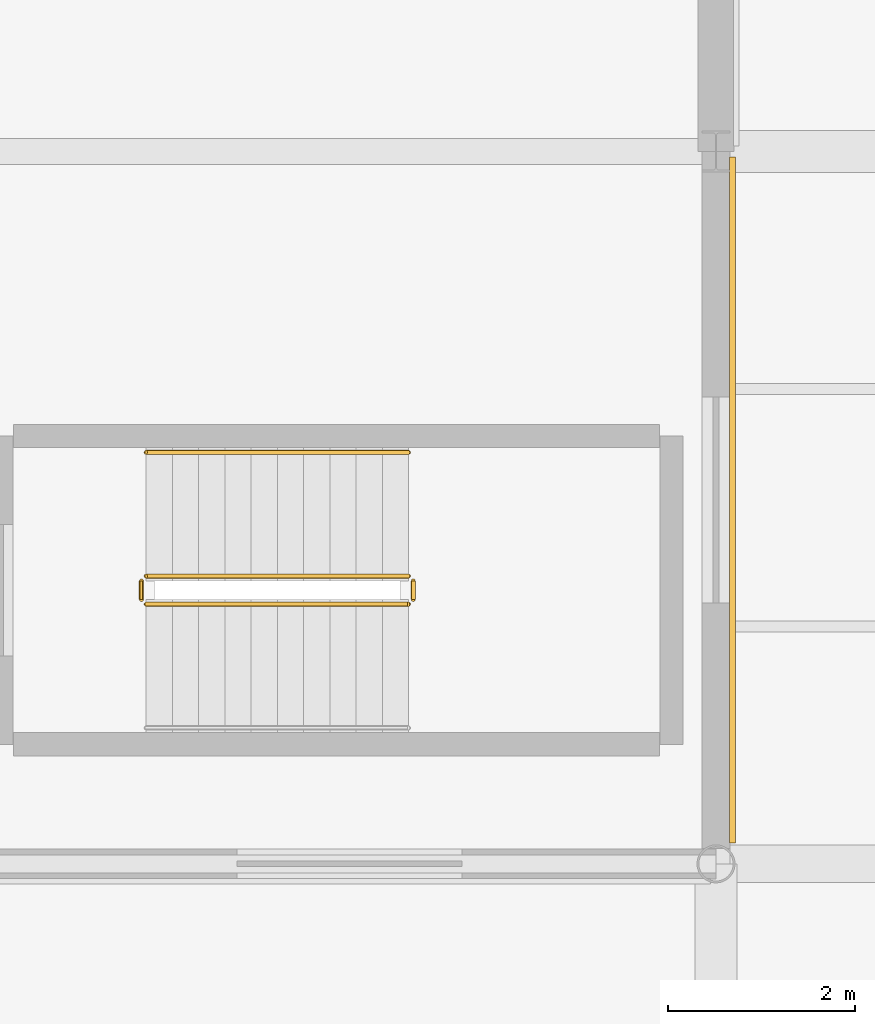
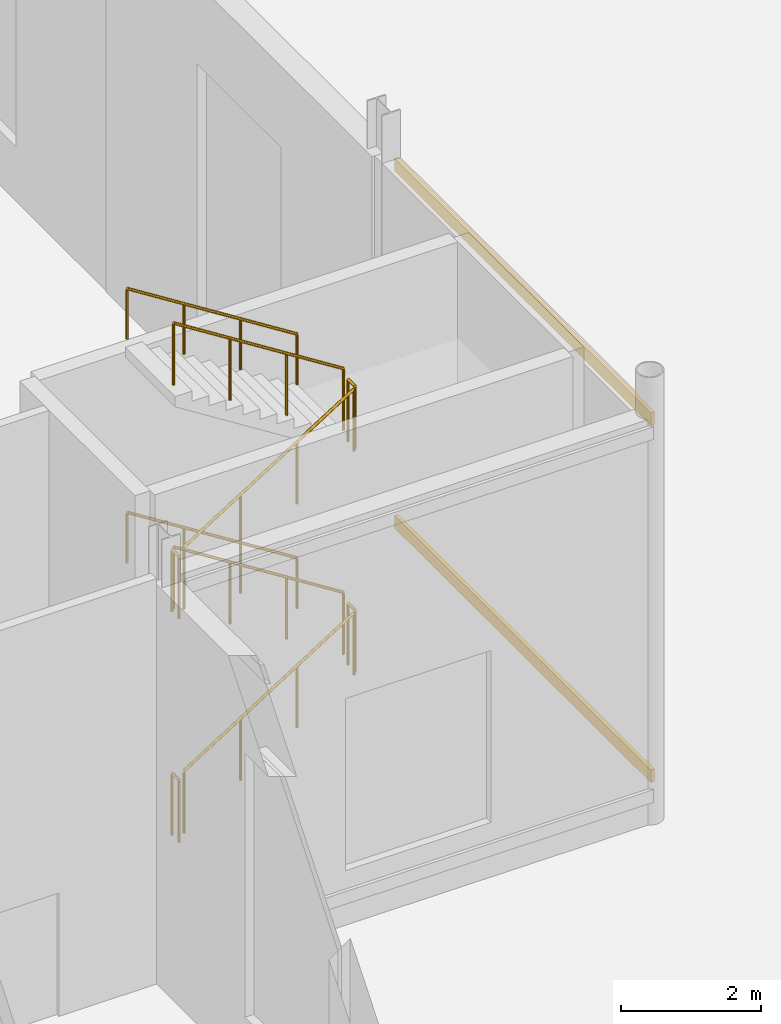
# One storey, part 165 of 176: 10 railings, 2 coverings.
"""IFC4 building model written with IfcOpenShell, lengths in metres."""

import ifcopenshell
import ifcopenshell.guid

model = None  # the IFC model being written
_history = None  # IfcOwnerHistory: only IFC2X3 demands one
_inside = {}  # id of a spatial element -> (the spatial element, [elements in it])
_under = {}  # id of a project, library or spatial element -> (it, [spatial elements below it])
_declared = {}  # id of a project -> (the project, [libraries it declares])
_typed = {}  # id of a type object -> (the type object, [elements of that type])
_made_of = {}  # id of a material, layer set ... -> (it, [elements and type objects made of it])


def new_model(schema):
    """Start an empty IFC model of exactly this schema.

    Asked for "IFC4X3", IfcOpenShell would pick the latest addendum, in which some entities
    have other attributes; the version numbers below select the first issue.
    IFC2X3 requires an IfcOwnerHistory on every rooted entity: one is made here for all.
    """
    global model, _history
    if schema == "IFC4X3":
        model = ifcopenshell.file(schema_version=(4, 3, 0, 0))
    else:
        model = ifcopenshell.file(schema=schema)
    _inside.clear()
    _under.clear()
    _declared.clear()
    _typed.clear()
    _made_of.clear()
    _history = None
    if model.schema == "IFC2X3":
        org = make("IfcOrganization", Name="unknown")
        user = make(
            "IfcPersonAndOrganization",
            ThePerson=make("IfcPerson", FamilyName="unknown"),
            TheOrganization=org,
        )
        app = make(
            "IfcApplication",
            ApplicationDeveloper=org,
            Version="unknown",
            ApplicationFullName="unknown",
            ApplicationIdentifier="unknown",
        )
        _history = make(
            "IfcOwnerHistory",
            OwningUser=user,
            OwningApplication=app,
            ChangeAction="ADDED",
            CreationDate=0,
        )
    return model


def make(cls, **values):
    """One entity of the class cls with the attributes given. An attribute that is None is left unset."""
    return model.create_entity(
        cls, **{name: value for name, value in values.items() if value is not None}
    )


def rooted(cls, **values):
    """An entity with a GlobalId (a new one), such as an element, a storey or a relation."""
    return make(cls, GlobalId=ifcopenshell.guid.new(), OwnerHistory=_history, **values)


def si_unit(unit_type, name, prefix=None):
    """IfcSIUnit, for example si_unit("LENGTHUNIT", "METRE", prefix="MILLI")."""
    return make("IfcSIUnit", UnitType=unit_type, Prefix=prefix, Name=name)


def assignment(units):
    """IfcUnitAssignment: the units of a project."""
    return None if units is None else make("IfcUnitAssignment", Units=units)


def point(xyz):
    """IfcCartesianPoint."""
    return None if xyz is None else make("IfcCartesianPoint", Coordinates=xyz)


def direction(xyz):
    """IfcDirection."""
    return None if xyz is None else make("IfcDirection", DirectionRatios=xyz)


def frame(location, z_axis=None, x_axis=None):
    """IfcAxis2Placement3D, a coordinate frame: its origin and axes. An axis left out is left unset."""
    return make(
        "IfcAxis2Placement3D",
        Location=point(location),
        Axis=direction(z_axis),
        RefDirection=direction(x_axis),
    )


def frame_2d(location, x_axis=None):
    """IfcAxis2Placement2D, a coordinate frame in the plane: its origin and x axis."""
    return make(
        "IfcAxis2Placement2D", Location=point(location), RefDirection=direction(x_axis)
    )


def origin():
    """The frame at (0, 0, 0) with its axes left unset."""
    return frame((0.0, 0.0, 0.0))


def origin_2d():
    """The frame at (0, 0) in the plane with its x axis left unset."""
    return frame_2d((0.0, 0.0))


def place(relative_to, where):
    """IfcLocalPlacement: puts the frame where relative to a parent placement (None: the world)."""
    return make(
        "IfcLocalPlacement", PlacementRelTo=relative_to, RelativePlacement=where
    )


def context(
    kind, dimensions, precision=None, world=None, true_north=None, identifier=None
):
    """IfcGeometricRepresentationContext, for example the 3D "Model" context."""
    return make(
        "IfcGeometricRepresentationContext",
        ContextIdentifier=identifier,
        ContextType=kind,
        CoordinateSpaceDimension=dimensions,
        Precision=precision,
        WorldCoordinateSystem=world,
        TrueNorth=true_north,
    )


def subcontext(parent, identifier, kind, view, scale=None):
    """IfcGeometricRepresentationSubContext, for example "Body" below "Model"."""
    return make(
        "IfcGeometricRepresentationSubContext",
        ContextIdentifier=identifier,
        ContextType=kind,
        ParentContext=parent,
        TargetScale=scale,
        TargetView=view,
    )


def project(units=None, contexts=None):
    """IfcProject with its units and contexts."""
    return rooted(
        "IfcProject",
        Name="project",
        RepresentationContexts=contexts,
        UnitsInContext=assignment(units),
    )


def spatial(cls, under=None, at=None, **own):
    """A site, building, storey or space (cls), placed at a placement, below another one or the project."""
    s = rooted(cls, ObjectPlacement=at, **own)
    if under is not None:
        _under.setdefault(under.id(), (under, []))[1].append(s)
    return s


def profile(cls, at=None, kind="AREA", **sizes):
    """A parametric profile (cls). Its sizes go by their IFC names, for example OverallWidth=200.0."""
    return make(cls, ProfileType=kind, Position=at, **sizes)


def rectangle(**sizes):
    """IfcRectangleProfileDef."""
    return profile("IfcRectangleProfileDef", **sizes)


def circle(**sizes):
    """IfcCircleProfileDef."""
    return profile("IfcCircleProfileDef", **sizes)


def extrude(swept, where, along, depth):
    """IfcExtrudedAreaSolid: the profile swept, set in the frame where, extruded along a direction by depth."""
    return make(
        "IfcExtrudedAreaSolid",
        SweptArea=swept,
        Position=where,
        ExtrudedDirection=direction(along),
        Depth=depth,
    )


def shape(context_of_items, identifier, shape_type, items):
    """IfcShapeRepresentation: the items that make up one representation, for example the "Body"."""
    return make(
        "IfcShapeRepresentation",
        ContextOfItems=context_of_items,
        RepresentationIdentifier=identifier,
        RepresentationType=shape_type,
        Items=items,
    )


def material(Name=None, Category=None):
    """IfcMaterial."""
    return make("IfcMaterial", Name=Name, Category=Category)


def layer(
    of_material, thickness, ventilated=None, Name=None, Category=None, Priority=None
):
    """IfcMaterialLayer: one layer of a wall or slab, of a material (None: an air gap)."""
    return make(
        "IfcMaterialLayer",
        Material=of_material,
        LayerThickness=thickness,
        IsVentilated=ventilated,
        Name=Name,
        Category=Category,
        Priority=Priority,
    )


def layer_set(layers, Name=None):
    """IfcMaterialLayerSet."""
    return make("IfcMaterialLayerSet", MaterialLayers=layers, LayerSetName=Name)


def made_of(thing, what):
    """Note that an element or type object is made of a material, layer set ...; save() writes the relation."""
    if what is not None:
        _made_of.setdefault(what.id(), (what, []))[1].append(thing)
    return thing


def type_object(cls, material=None, **own):
    """A type object (cls), such as IfcWallType, which elements share."""
    return made_of(rooted(cls, **own), material)


def element(
    cls,
    number,
    at=None,
    inside=None,
    cuts=None,
    type_object=None,
    material=None,
    context=None,
    identifier="Body",
    shape_type=None,
    held_by="IfcProductDefinitionShape",
    body=None,
    shapes=None,
    **own,
):
    """One element of the class cls, such as IfcWall. Its Tag is "e" and its number.

    at: its placement. inside: the storey or other place that contains it. cuts: it is an
    opening in that element (IfcRelVoidsElement). A single representation is given by context,
    identifier, shape_type and body (its items); several are given by shapes. held_by: the class
    of the entity that holds the representations. save() writes the other relations.
    """
    e = rooted(cls, Tag="e%d" % number, ObjectPlacement=at, **own)
    if body is not None:
        shapes = [shape(context, identifier, shape_type, body)]
    if shapes is not None:
        e.Representation = make(held_by, Representations=shapes)
    if inside is not None:
        _inside.setdefault(inside.id(), (inside, []))[1].append(e)
    if cuts is not None:
        rooted(
            "IfcRelVoidsElement", RelatingBuildingElement=cuts, RelatedOpeningElement=e
        )
    if type_object is not None:
        _typed.setdefault(type_object.id(), (type_object, []))[1].append(e)
    return made_of(e, material)


def aggregate(whole, parts):
    """IfcRelAggregates: a whole, such as a stair, and the parts it consists of."""
    return rooted("IfcRelAggregates", RelatingObject=whole, RelatedObjects=parts)


def save(model, path):
    """Write the relations noted so far, then the file.

    IfcRelAggregates (storeys below a building ...), IfcRelContainedInSpatialStructure (elements
    in a storey), IfcRelDefinesByType, IfcRelAssociatesMaterial and IfcRelDeclares: one each for
    every whole, place, type object, material and project.
    """
    for whole, parts in _under.values():
        aggregate(whole, parts)
    for where, things in _inside.values():
        rooted(
            "IfcRelContainedInSpatialStructure",
            RelatedElements=things,
            RelatingStructure=where,
        )
    for kind, things in _typed.values():
        rooted("IfcRelDefinesByType", RelatedObjects=things, RelatingType=kind)
    for what, things in _made_of.values():
        rooted("IfcRelAssociatesMaterial", RelatedObjects=things, RelatingMaterial=what)
    for by, libraries in _declared.values():
        rooted("IfcRelDeclares", RelatingContext=by, RelatedDefinitions=libraries)
    model.write(path)


model = new_model("IFC4")

# Units and contexts
model_context = context("Model", 3, precision=1e-05, world=origin(), true_north=direction((0.0, 1.0)))
body_context = subcontext(model_context, "Body", "Model", "MODEL_VIEW")
ifc_project = project(units=[si_unit("LENGTHUNIT", "METRE"), si_unit("AREAUNIT", "SQUARE_METRE"), si_unit("VOLUMEUNIT", "CUBIC_METRE"), si_unit("PLANEANGLEUNIT", "RADIAN"), si_unit("MASSUNIT", "GRAM", prefix="KILO")], contexts=[model_context])

# Site, building, storey
site_placement = place(None, origin())
site = spatial("IfcSite", under=ifc_project, at=site_placement, CompositionType="ELEMENT")
building_placement = place(site_placement, origin())
building = spatial("IfcBuilding", under=site, at=building_placement, Name="Vekula Escarpment Museum", CompositionType="ELEMENT")
storey_placement = place(building_placement, origin())
storey = spatial("IfcBuildingStorey", under=building, at=storey_placement, Name="L01", CompositionType="ELEMENT", Elevation=0.0)

# Coverings
ifc_material_1 = material(Name="Polychrome limestone almasik string-course band", Category="masonry")
ifc_layer = layer(ifc_material_1, 0.06005859375)
ifc_layer_set = layer_set([ifc_layer], Name="Polychrome limestone almasik string-course band")
covering_type = type_object("IfcCoveringType", Name="COV-ALM-BAND", PredefinedType="CLADDING", material=ifc_layer_set)
for number, where, z_axis, x_axis, name in (
    (1, (56.176025390625, 117.08203125, 0.41015625), (0.0, 0.0, 1.0), (0.0, 1.0, 0.0), "Almasik Stone String Course L01-0107"),
    (2, (56.176025390625, 117.08203125, 6.63525390625), (0.0, 0.0, 1.0), (0.0, 1.0, 0.0), "Almasik Stone String Course L01-0108"),
):
    element("IfcCovering", number, at=place(storey_placement, frame(where, z_axis=z_axis, x_axis=x_axis)), inside=storey, type_object=covering_type, Name=name, PredefinedType="CLADDING", context=body_context, shape_type="SweptSolid", body=[
        extrude(rectangle(XDim=7.31591796875, YDim=0.06005859375, at=origin_2d()), origin(), (0.0, 0.0, 1.0), 0.219970703125),
    ])

# Railings
ifc_material_2 = material(Name="Painted Steel S355 stair guard", Category="steel")
railing_type_1 = type_object("IfcRailingType", Name="RL-STAIR-GUARD", PredefinedType="GUARDRAIL", material=ifc_material_2)
railing_1_placement = place(storey_placement, frame((49.919921875, 115.969970703125, 0.17724609375)))
element("IfcRailing", 3, at=railing_1_placement, inside=storey, type_object=railing_type_1, Name="L01 ST-03 stair guard 1", PredefinedType="GUARDRAIL", context=body_context, shape_type="SweptSolid", body=[
    extrude(circle(Radius=0.02392578125, at=origin_2d()), frame((0.0, 0.0, 1.076171875), z_axis=(0.844908973607, 0.0, 0.534910110503), x_axis=(0.0, 1.0, 0.0)), (0.0, 0.0, 1.0), 3.31396484375),
    extrude(circle(Radius=0.02099609375, at=origin_2d()), origin(), (0.0, 0.0, 1.0), 1.052001953125),
    extrude(circle(Radius=0.02099609375, at=origin_2d()), frame((0.933349609375, 0.0, 0.5908203125)), (0.0, 0.0, 1.0), 1.052001953125),
    extrude(circle(Radius=0.02099609375, at=origin_2d()), frame((1.86669921875, 0.0, 1.181884765625)), (0.0, 0.0, 1.0), 1.052001953125),
    extrude(circle(Radius=0.02099609375, at=origin_2d()), frame((2.800048828125, 0.0, 1.772705078125)), (0.0, 0.0, 1.0), 1.052001953125),
])
railing_2_placement = place(storey_placement, frame((52.77001953125, 116.02001953125, 1.949951171875)))
element("IfcRailing", 4, at=railing_2_placement, inside=storey, type_object=railing_type_1, Name="L01 ST-03 stair guard 2", PredefinedType="GUARDRAIL", context=body_context, shape_type="SweptSolid", body=[
    extrude(circle(Radius=0.02392578125, at=origin_2d()), frame((0.0, 0.0, 1.076171875), z_axis=(0.0, 1.0, 0.0), x_axis=(-1.0, 0.0, 0.0)), (0.0, 0.0, 1.0), 0.199951171875),
    extrude(circle(Radius=0.02099609375, at=origin_2d()), origin(), (0.0, 0.0, 1.0), 1.052001953125),
    extrude(circle(Radius=0.02099609375, at=origin_2d()), frame((0.0, 0.199951171875, 0.0)), (0.0, 0.0, 1.0), 1.052001953125),
])
railing_3_placement = place(storey_placement, frame((52.719970703125, 116.27001953125, 2.127197265625)))
element("IfcRailing", 5, at=railing_3_placement, inside=storey, type_object=railing_type_1, Name="L01 ST-03 stair guard 3", PredefinedType="GUARDRAIL", context=body_context, shape_type="SweptSolid", body=[
    extrude(circle(Radius=0.02392578125, at=origin_2d()), frame((0.0, 0.0, 1.076171875), z_axis=(-0.844908973607, 0.0, 0.534910110503), x_axis=(0.0, -1.0, 0.0)), (0.0, 0.0, 1.0), 3.31396484375),
    extrude(circle(Radius=0.02099609375, at=origin_2d()), origin(), (0.0, 0.0, 1.0), 1.052001953125),
    extrude(circle(Radius=0.02099609375, at=origin_2d()), frame((-0.933349609375, 0.0, 0.5908203125)), (0.0, 0.0, 1.0), 1.052001953125),
    extrude(circle(Radius=0.02099609375, at=origin_2d()), frame((-1.86669921875, 0.0, 1.181884765625)), (0.0, 0.0, 1.0), 1.052001953125),
    extrude(circle(Radius=0.02099609375, at=origin_2d()), frame((-2.800048828125, 0.0, 1.772705078125)), (0.0, 0.0, 1.0), 1.052001953125),
])
railing_4_placement = place(storey_placement, frame((49.8701171875, 116.02001953125, 3.89990234375)))
element("IfcRailing", 6, at=railing_4_placement, inside=storey, type_object=railing_type_1, Name="L01 ST-03 stair guard 4", PredefinedType="GUARDRAIL", context=body_context, shape_type="SweptSolid", body=[
    extrude(circle(Radius=0.02392578125, at=origin_2d()), frame((0.0, 0.0, 1.076171875), z_axis=(0.0, 1.0, 0.0), x_axis=(-1.0, 0.0, 0.0)), (0.0, 0.0, 1.0), 0.199951171875),
    extrude(circle(Radius=0.02099609375, at=origin_2d()), origin(), (0.0, 0.0, 1.0), 1.052001953125),
    extrude(circle(Radius=0.02099609375, at=origin_2d()), frame((0.0, 0.199951171875, 0.0)), (0.0, 0.0, 1.0), 1.052001953125),
])
railing_5_placement = place(storey_placement, frame((49.919921875, 115.969970703125, 4.077392578125)))
element("IfcRailing", 7, at=railing_5_placement, inside=storey, type_object=railing_type_1, Name="L01 ST-03 stair guard 5", PredefinedType="GUARDRAIL", context=body_context, shape_type="SweptSolid", body=[
    extrude(circle(Radius=0.02392578125, at=origin_2d()), frame((0.0, 0.0, 1.076171875), z_axis=(0.844908973607, 0.0, 0.534910110503), x_axis=(0.0, 1.0, 0.0)), (0.0, 0.0, 1.0), 3.31396484375),
    extrude(circle(Radius=0.02099609375, at=origin_2d()), origin(), (0.0, 0.0, 1.0), 1.052001953125),
    extrude(circle(Radius=0.02099609375, at=origin_2d()), frame((0.933349609375, 0.0, 0.5908203125)), (0.0, 0.0, 1.0), 1.052001953125),
    extrude(circle(Radius=0.02099609375, at=origin_2d()), frame((1.86669921875, 0.0, 1.181884765625)), (0.0, 0.0, 1.0), 1.052001953125),
    extrude(circle(Radius=0.02099609375, at=origin_2d()), frame((2.800048828125, 0.0, 1.772705078125)), (0.0, 0.0, 1.0), 1.052001953125),
])
railing_6_placement = place(storey_placement, frame((52.77001953125, 116.02001953125, 5.85009765625)))
element("IfcRailing", 8, at=railing_6_placement, inside=storey, type_object=railing_type_1, Name="L01 ST-03 stair guard 6", PredefinedType="GUARDRAIL", context=body_context, shape_type="SweptSolid", body=[
    extrude(circle(Radius=0.02392578125, at=origin_2d()), frame((0.0, 0.0, 1.076171875), z_axis=(0.0, 1.0, 0.0), x_axis=(-1.0, 0.0, 0.0)), (0.0, 0.0, 1.0), 0.199951171875),
    extrude(circle(Radius=0.02099609375, at=origin_2d()), origin(), (0.0, 0.0, 1.0), 1.052001953125),
    extrude(circle(Radius=0.02099609375, at=origin_2d()), frame((0.0, 0.199951171875, 0.0)), (0.0, 0.0, 1.0), 1.052001953125),
])
railing_7_placement = place(storey_placement, frame((52.719970703125, 116.27001953125, 6.02734375)))
element("IfcRailing", 9, at=railing_7_placement, inside=storey, type_object=railing_type_1, Name="L01 ST-03 stair guard 7", PredefinedType="GUARDRAIL", context=body_context, shape_type="SweptSolid", body=[
    extrude(circle(Radius=0.02392578125, at=origin_2d()), frame((0.0, 0.0, 1.076171875), z_axis=(-0.844908973607, 0.0, 0.534910110503), x_axis=(0.0, -1.0, 0.0)), (0.0, 0.0, 1.0), 3.31396484375),
    extrude(circle(Radius=0.02099609375, at=origin_2d()), origin(), (0.0, 0.0, 1.0), 1.052001953125),
    extrude(circle(Radius=0.02099609375, at=origin_2d()), frame((-0.933349609375, 0.0, 0.5908203125)), (0.0, 0.0, 1.0), 1.052001953125),
    extrude(circle(Radius=0.02099609375, at=origin_2d()), frame((-1.86669921875, 0.0, 1.181884765625)), (0.0, 0.0, 1.0), 1.052001953125),
    extrude(circle(Radius=0.02099609375, at=origin_2d()), frame((-2.800048828125, 0.0, 1.772705078125)), (0.0, 0.0, 1.0), 1.052001953125),
])
railing_8_placement = place(storey_placement, frame((49.8701171875, 116.02001953125, 0.0)))
element("IfcRailing", 10, at=railing_8_placement, inside=storey, type_object=railing_type_1, Name="L01 ST-03 stair guard 8", PredefinedType="GUARDRAIL", context=body_context, shape_type="SweptSolid", body=[
    extrude(circle(Radius=0.02392578125, at=origin_2d()), frame((0.0, 0.0, 1.076171875), z_axis=(0.0, 1.0, 0.0), x_axis=(-1.0, 0.0, 0.0)), (0.0, 0.0, 1.0), 0.199951171875),
    extrude(circle(Radius=0.02099609375, at=origin_2d()), origin(), (0.0, 0.0, 1.0), 1.052001953125),
    extrude(circle(Radius=0.02099609375, at=origin_2d()), frame((0.0, 0.199951171875, 0.0)), (0.0, 0.0, 1.0), 1.052001953125),
])
ifc_material_3 = material(Name="Brushed stainless steel handrail", Category="steel")
railing_type_2 = type_object("IfcRailingType", Name="RL-STAIR-HAND", PredefinedType="HANDRAIL", material=ifc_material_3)
for number, where, name in (
    (11, (52.719970703125, 117.590087890625, 2.127197265625), "L01 ST-03 stair handrail 2"),
    (12, (52.719970703125, 117.590087890625, 6.02734375), "L01 ST-03 stair handrail 4"),
):
    element("IfcRailing", number, at=place(storey_placement, frame(where)), inside=storey, type_object=railing_type_2, Name=name, PredefinedType="HANDRAIL", context=body_context, shape_type="SweptSolid", body=[
        extrude(circle(Radius=0.02392578125, at=origin_2d()), frame((0.0, 0.0, 0.8759765625), z_axis=(-0.844908973607, 0.0, 0.534910110503), x_axis=(0.0, -1.0, 0.0)), (0.0, 0.0, 1.0), 3.31396484375),
        extrude(circle(Radius=0.02099609375, at=origin_2d()), origin(), (0.0, 0.0, 1.0), 0.851806640625),
        extrude(circle(Radius=0.02099609375, at=origin_2d()), frame((-0.933349609375, 0.0, 0.5908203125)), (0.0, 0.0, 1.0), 0.851806640625),
        extrude(circle(Radius=0.02099609375, at=origin_2d()), frame((-1.86669921875, 0.0, 1.181884765625)), (0.0, 0.0, 1.0), 0.851806640625),
        extrude(circle(Radius=0.02099609375, at=origin_2d()), frame((-2.800048828125, 0.0, 1.772705078125)), (0.0, 0.0, 1.0), 0.851806640625),
    ])

save(model, "model.ifc")
